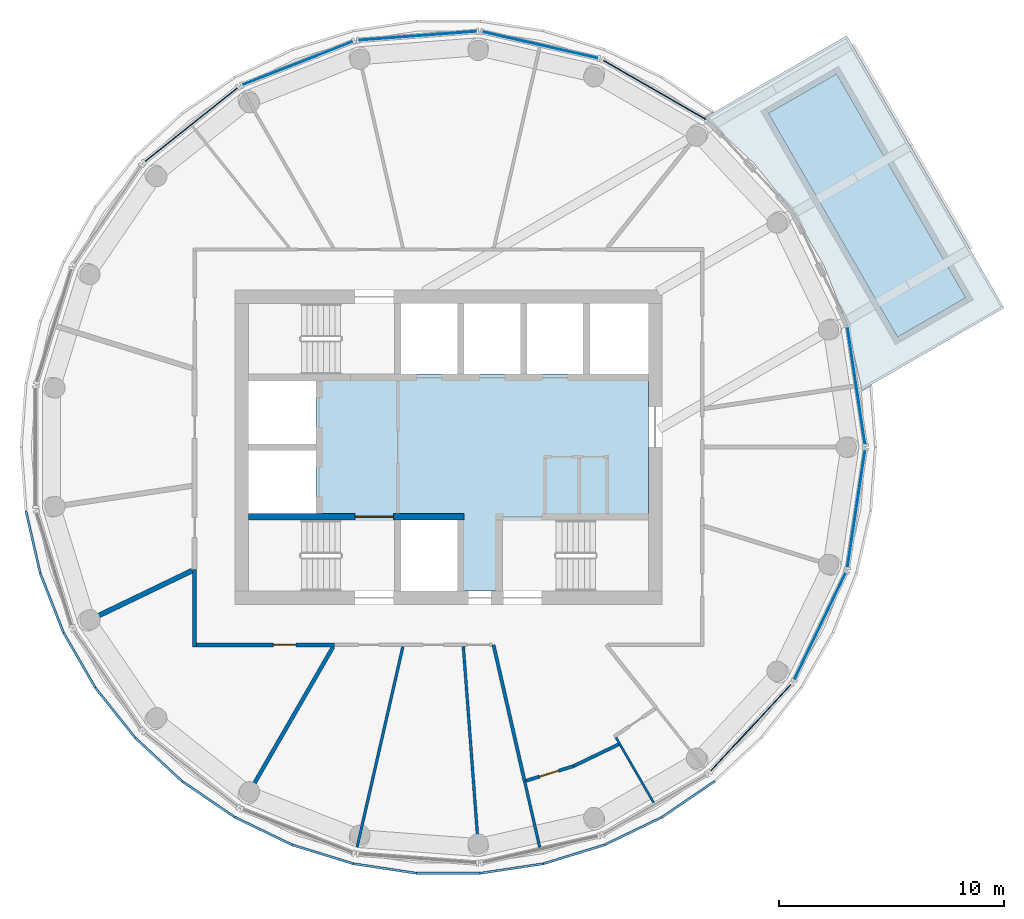
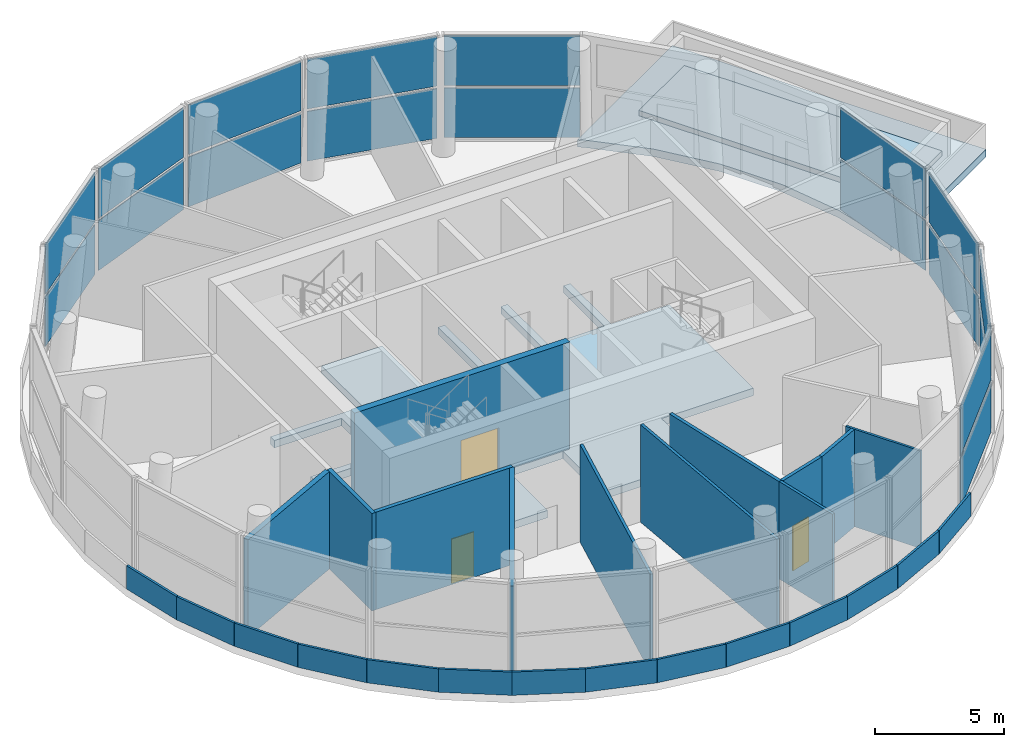
# One storey, part 4 of 10: 26 walls, 18 plates, 3 doors, 3 slabs, 3 openings, 9 elements without a shape of their own.
"""IFC4 building model written with IfcOpenShell, lengths in metres."""

from ifc_helpers import new_model, si_unit, direction, frame, frame_2d, origin, origin_2d, place, context, subcontext, project, spatial, polyline, rectangle, outline, extrude, material, layer, layer_set, type_object, element, fill, aggregate, save


model = new_model("IFC4")

# Units and contexts
model_context = context("Model", 3, precision=1e-05, world=origin(), true_north=direction((0.0, 1.0)))
body_context = subcontext(model_context, "Body", "Model", "MODEL_VIEW")
ifc_project = project(units=[si_unit("LENGTHUNIT", "METRE"), si_unit("AREAUNIT", "SQUARE_METRE"), si_unit("VOLUMEUNIT", "CUBIC_METRE"), si_unit("PLANEANGLEUNIT", "RADIAN"), si_unit("MASSUNIT", "GRAM", prefix="KILO")], contexts=[model_context])

# Site, building, storey
site_placement = place(None, origin())
site = spatial("IfcSite", under=ifc_project, at=site_placement, CompositionType="ELEMENT")
building_placement = place(site_placement, origin())
building = spatial("IfcBuilding", under=site, at=building_placement, Name="Tracery Tower", CompositionType="ELEMENT")
storey_placement = place(building_placement, frame((0.0, 0.0, 341.39990234375)))
storey = spatial("IfcBuildingStorey", under=building, at=storey_placement, Name="L88", CompositionType="ELEMENT", Elevation=341.39990234375)

# Slabs
ifc_material_1 = material(Name="Concrete C40/50", Category="concrete")
ifc_layer_1 = layer(ifc_material_1, 0.35009765625)
ifc_layer_set_1 = layer_set([ifc_layer_1], Name="Core floor slab 350 C40")
slab_type_1 = type_object("IfcSlabType", Name="Core floor slab 350 C40", PredefinedType="FLOOR", material=ifc_layer_set_1)
slab_1_placement = place(storey_placement, frame((0.0, 0.0, -0.349853515625)))
element("IfcSlab", 1, at=slab_1_placement, inside=storey, type_object=slab_type_1, Name="L88 core floor 1", PredefinedType="FLOOR", context=body_context, shape_type="SweptSolid", body=[
    extrude(outline(polyline([(-4.800537109375, -3.25), (-8.89990234375, -3.25), (-8.89990234375, -2.949951171875), (-5.89990234375, -2.949951171875), (-5.89990234375, -0.14990234375), (-8.89990234375, -0.14990234375), (-8.89990234375, 0.14990234375), (-5.89990234375, 0.14990234375), (-5.89990234375, 2.949951171875), (-8.89990234375, 2.949951171875), (-8.89990234375, 3.25), (-4.800537109375, 3.25), (-4.800537109375, 6.39990234375), (-2.10009765625, 6.39990234375), (-2.10009765625, 3.25), (0.39990234375, 3.25), (0.39990234375, 6.39990234375), (0.699951171875, 6.39990234375), (0.699951171875, 3.25), (3.199951171875, 3.25), (3.199951171875, 6.39990234375), (3.5, 6.39990234375), (3.5, 3.25), (6.0, 3.25), (6.0, 6.39990234375), (6.300048828125, 6.39990234375), (6.300048828125, 3.25), (8.89990234375, 3.25), (8.89990234375, -3.25), (4.800537109375, -3.25), (4.800537109375, -6.39990234375), (0.39990234375, -6.39990234375), (0.39990234375, -3.25), (-2.10009765625, -3.25), (-2.10009765625, -6.39990234375), (-4.800537109375, -6.39990234375), (-4.800537109375, -3.25)])), origin(), (0.0, 0.0, 1.0), 0.349853515625),
])
ifc_material_2 = material(Name="Concrete C50/60", Category="concrete")
ifc_layer_2 = layer(ifc_material_2, 0.35009765625)
ifc_layer_set_2 = layer_set([ifc_layer_2], Name="Pool deck slab 350")
slab_type_2 = type_object("IfcSlabType", Name="Pool deck slab 350", PredefinedType="FLOOR", material=ifc_layer_set_2)
slab_2_placement = place(storey_placement, frame((0.0, 0.0, -0.349853515625)))
element("IfcSlab", 2, at=slab_2_placement, inside=storey, type_object=slab_type_2, Name="Sky pool deck slab", PredefinedType="FLOOR", context=body_context, shape_type="SweptSolid", body=[
    extrude(outline(polyline([(17.735107421875, 18.322265625), (24.735107421875, 6.197998046875), (18.382568359375, 2.5302734375), (18.36474609375, 2.76806640625), (17.7470703125, 5.474365234375), (16.73291015625, 8.05810546875), (15.34521484375, 10.462158203125), (13.614501953125, 12.63232421875), (11.57958984375, 14.520263671875), (11.382568359375, 14.654541015625), (17.735107421875, 18.322265625)])), origin(), (0.0, 0.0, 1.0), 0.349853515625),
])
ifc_material_3 = material(Name="Concrete C40/50", Category="concrete")
ifc_layer_3 = layer(ifc_material_3, 0.25)
ifc_layer_set_3 = layer_set([ifc_layer_3], Name="Pool tank floor slab 250")
slab_type_3 = type_object("IfcSlabType", Name="Pool tank floor slab 250", PredefinedType="FLOOR", material=ifc_layer_set_3)
slab_3_placement = place(storey_placement, origin())
element("IfcSlab", 3, at=slab_3_placement, inside=storey, type_object=slab_type_3, Name="Pool tank floor", PredefinedType="FLOOR", context=body_context, shape_type="SweptSolid", body=[
    extrude(outline(polyline([(19.99658203125, 4.905517578125), (14.24658203125, 14.86474609375), (17.277587890625, 16.61474609375), (23.027587890625, 6.655517578125), (19.99658203125, 4.905517578125)])), origin(), (0.0, 0.0, 1.0), 0.25),
])

# Curtain wall, plates
ifc_material_4 = material(Name="Aluminium curtain wall with tinted glass", Category="aluminium")
curtain_wall_type = type_object("IfcCurtainWallType", Name="Sky pool floor glazing curtain wall", PredefinedType="NOTDEFINED", material=ifc_material_4)
curtain_wall_1_placement = place(storey_placement, origin())
curtain_wall_1 = element("IfcCurtainWall", 4, at=curtain_wall_1_placement, inside=storey, type_object=curtain_wall_type, Name="Sky pool floor glazing run 00", PredefinedType="NOTDEFINED")
ifc_material_5 = material(Name="Tinted laminated glass", Category="glass")
ifc_layer_4 = layer(ifc_material_5, 0.0400390625)
ifc_layer_set_4 = layer_set([ifc_layer_4], Name="Sky pool floor glazing glass panel 40")
plate_type = type_object("IfcPlateType", Name="Sky pool floor glazing glass panel 40", PredefinedType="CURTAIN_PANEL", material=ifc_layer_set_4)
plate_1_placement = place(storey_placement, frame((18.15966796875, 2.737060546875, 0.1201171875), z_axis=(0.0, 0.0, 1.0), x_axis=(-0.14902784238, 0.988833000155, 0.0)))
plate_1 = element("IfcPlate", 5, at=plate_1_placement, type_object=plate_type, Name="CWB3 panel 1.1", PredefinedType="CURTAIN_PANEL", context=body_context, shape_type="SweptSolid", body=[
    extrude(rectangle(XDim=5.256103515625, YDim=0.0400390625, at=origin_2d()), origin(), (0.0, 0.0, 1.0), 2.344970703125),
])
plate_2_placement = place(storey_placement, frame((18.15966796875, 2.737060546875, 2.5849609375), z_axis=(0.0, 0.0, 1.0), x_axis=(-0.14902784238, 0.988833000155, 0.0)))
plate_2 = element("IfcPlate", 6, at=plate_2_placement, type_object=plate_type, Name="CWB3 panel 1.2", PredefinedType="CURTAIN_PANEL", context=body_context, shape_type="SweptSolid", body=[
    extrude(rectangle(XDim=5.256103515625, YDim=0.0400390625, at=origin_2d()), origin(), (0.0, 0.0, 1.0), 2.344970703125),
])
aggregate(curtain_wall_1, [plate_1, plate_2])

curtain_wall_2_placement = place(storey_placement, origin())
curtain_wall_2 = element("IfcCurtainWall", 7, at=curtain_wall_2_placement, inside=storey, type_object=curtain_wall_type, Name="Sky pool floor glazing run 03", PredefinedType="NOTDEFINED")
plate_3_placement = place(storey_placement, frame((9.182373046875, 15.904296875, 0.1201171875), z_axis=(0.0, 0.0, 1.0), x_axis=(-0.866020463954, 0.500008555939, 0.0)))
plate_3 = element("IfcPlate", 8, at=plate_3_placement, type_object=plate_type, Name="CWB3 panel 1.1", PredefinedType="CURTAIN_PANEL", context=body_context, shape_type="SweptSolid", body=[
    extrude(rectangle(XDim=5.256103515625, YDim=0.0400390625, at=origin_2d()), origin(), (0.0, 0.0, 1.0), 2.344970703125),
])
plate_4_placement = place(storey_placement, frame((9.182373046875, 15.904296875, 2.5849609375), z_axis=(0.0, 0.0, 1.0), x_axis=(-0.866020463954, 0.500008555939, 0.0)))
plate_4 = element("IfcPlate", 9, at=plate_4_placement, type_object=plate_type, Name="CWB3 panel 1.2", PredefinedType="CURTAIN_PANEL", context=body_context, shape_type="SweptSolid", body=[
    extrude(rectangle(XDim=5.256103515625, YDim=0.0400390625, at=origin_2d()), origin(), (0.0, 0.0, 1.0), 2.344970703125),
])
aggregate(curtain_wall_2, [plate_3, plate_4])

curtain_wall_3_placement = place(storey_placement, origin())
curtain_wall_3 = element("IfcCurtainWall", 10, at=curtain_wall_3_placement, inside=storey, type_object=curtain_wall_type, Name="Sky pool floor glazing run 04", PredefinedType="NOTDEFINED")
plate_5_placement = place(storey_placement, frame((4.086669921875, 17.904296875, 0.1201171875), z_axis=(0.0, 0.0, 1.0), x_axis=(-0.974927733783, 0.22252171557, 0.0)))
plate_5 = element("IfcPlate", 11, at=plate_5_placement, type_object=plate_type, Name="CWB3 panel 1.1", PredefinedType="CURTAIN_PANEL", context=body_context, shape_type="SweptSolid", body=[
    extrude(rectangle(XDim=5.256103515625, YDim=0.0400390625, at=origin_2d()), origin(), (0.0, 0.0, 1.0), 2.344970703125),
])
plate_6_placement = place(storey_placement, frame((4.086669921875, 17.904296875, 2.5849609375), z_axis=(0.0, 0.0, 1.0), x_axis=(-0.974927733783, 0.22252171557, 0.0)))
plate_6 = element("IfcPlate", 12, at=plate_6_placement, type_object=plate_type, Name="CWB3 panel 1.2", PredefinedType="CURTAIN_PANEL", context=body_context, shape_type="SweptSolid", body=[
    extrude(rectangle(XDim=5.256103515625, YDim=0.0400390625, at=origin_2d()), origin(), (0.0, 0.0, 1.0), 2.344970703125),
])
aggregate(curtain_wall_3, [plate_5, plate_6])

curtain_wall_4_placement = place(storey_placement, origin())
curtain_wall_4 = element("IfcCurtainWall", 13, at=curtain_wall_4_placement, inside=storey, type_object=curtain_wall_type, Name="Sky pool floor glazing run 05", PredefinedType="NOTDEFINED")
plate_7_placement = place(storey_placement, frame((-1.372314453125, 18.3134765625, 0.1201171875), z_axis=(0.0, 0.0, 1.0), x_axis=(-0.997202862777, -0.074742561292, 0.0)))
plate_7 = element("IfcPlate", 14, at=plate_7_placement, type_object=plate_type, Name="CWB3 panel 1.1", PredefinedType="CURTAIN_PANEL", context=body_context, shape_type="SweptSolid", body=[
    extrude(rectangle(XDim=5.256103515625, YDim=0.0400390625, at=origin_2d()), origin(), (0.0, 0.0, 1.0), 2.344970703125),
])
plate_8_placement = place(storey_placement, frame((-1.372314453125, 18.3134765625, 2.5849609375), z_axis=(0.0, 0.0, 1.0), x_axis=(-0.997202862777, -0.074742561292, 0.0)))
plate_8 = element("IfcPlate", 15, at=plate_8_placement, type_object=plate_type, Name="CWB3 panel 1.2", PredefinedType="CURTAIN_PANEL", context=body_context, shape_type="SweptSolid", body=[
    extrude(rectangle(XDim=5.256103515625, YDim=0.0400390625, at=origin_2d()), origin(), (0.0, 0.0, 1.0), 2.344970703125),
])
aggregate(curtain_wall_4, [plate_7, plate_8])

curtain_wall_5_placement = place(storey_placement, origin())
curtain_wall_5 = element("IfcCurtainWall", 16, at=curtain_wall_5_placement, inside=storey, type_object=curtain_wall_type, Name="Sky pool floor glazing run 06", PredefinedType="NOTDEFINED")
plate_9_placement = place(storey_placement, frame((-6.70947265625, 17.09521484375, 0.1201171875), z_axis=(0.0, 0.0, 1.0), x_axis=(-0.930877526426, -0.365331398589, 0.0)))
plate_9 = element("IfcPlate", 17, at=plate_9_placement, type_object=plate_type, Name="CWB3 panel 1.1", PredefinedType="CURTAIN_PANEL", context=body_context, shape_type="SweptSolid", body=[
    extrude(rectangle(XDim=5.256103515625, YDim=0.0400390625, at=origin_2d()), origin(), (0.0, 0.0, 1.0), 2.344970703125),
])
plate_10_placement = place(storey_placement, frame((-6.70947265625, 17.09521484375, 2.5849609375), z_axis=(0.0, 0.0, 1.0), x_axis=(-0.930877526426, -0.365331398589, 0.0)))
plate_10 = element("IfcPlate", 18, at=plate_10_placement, type_object=plate_type, Name="CWB3 panel 1.2", PredefinedType="CURTAIN_PANEL", context=body_context, shape_type="SweptSolid", body=[
    extrude(rectangle(XDim=5.256103515625, YDim=0.0400390625, at=origin_2d()), origin(), (0.0, 0.0, 1.0), 2.344970703125),
])
aggregate(curtain_wall_5, [plate_9, plate_10])

curtain_wall_6_placement = place(storey_placement, origin())
curtain_wall_6 = element("IfcCurtainWall", 19, at=curtain_wall_6_placement, inside=storey, type_object=curtain_wall_type, Name="Sky pool floor glazing run 07", PredefinedType="NOTDEFINED")
plate_11_placement = place(storey_placement, frame((-11.4501953125, 14.358154296875, 0.1201171875), z_axis=(0.0, 0.0, 1.0), x_axis=(-0.781820960898, -0.623502995262, 0.0)))
plate_11 = element("IfcPlate", 20, at=plate_11_placement, type_object=plate_type, Name="CWB3 panel 1.1", PredefinedType="CURTAIN_PANEL", context=body_context, shape_type="SweptSolid", body=[
    extrude(rectangle(XDim=5.256103515625, YDim=0.0400390625, at=origin_2d()), origin(), (0.0, 0.0, 1.0), 2.344970703125),
])
plate_12_placement = place(storey_placement, frame((-11.4501953125, 14.358154296875, 2.5849609375), z_axis=(0.0, 0.0, 1.0), x_axis=(-0.781820960898, -0.623502995262, 0.0)))
plate_12 = element("IfcPlate", 21, at=plate_12_placement, type_object=plate_type, Name="CWB3 panel 1.2", PredefinedType="CURTAIN_PANEL", context=body_context, shape_type="SweptSolid", body=[
    extrude(rectangle(XDim=5.256103515625, YDim=0.0400390625, at=origin_2d()), origin(), (0.0, 0.0, 1.0), 2.344970703125),
])
aggregate(curtain_wall_6, [plate_11, plate_12])

curtain_wall_7_placement = place(storey_placement, origin())
curtain_wall_7 = element("IfcCurtainWall", 22, at=curtain_wall_7_placement, inside=storey, type_object=curtain_wall_type, Name="Sky pool floor glazing run 18", PredefinedType="NOTDEFINED")
plate_13_placement = place(storey_placement, frame((13.46240234375, -12.4912109375, 0.1201171875), z_axis=(0.0, 0.0, 1.0), x_axis=(0.680174070511, 0.733050635226, 0.0)))
plate_13 = element("IfcPlate", 23, at=plate_13_placement, type_object=plate_type, Name="CWB3 panel 1.1", PredefinedType="CURTAIN_PANEL", context=body_context, shape_type="SweptSolid", body=[
    extrude(rectangle(XDim=5.256103515625, YDim=0.0400390625, at=origin_2d()), origin(), (0.0, 0.0, 1.0), 2.344970703125),
])
plate_14_placement = place(storey_placement, frame((13.46240234375, -12.4912109375, 2.5849609375), z_axis=(0.0, 0.0, 1.0), x_axis=(0.680174070511, 0.733050635226, 0.0)))
plate_14 = element("IfcPlate", 24, at=plate_14_placement, type_object=plate_type, Name="CWB3 panel 1.2", PredefinedType="CURTAIN_PANEL", context=body_context, shape_type="SweptSolid", body=[
    extrude(rectangle(XDim=5.256103515625, YDim=0.0400390625, at=origin_2d()), origin(), (0.0, 0.0, 1.0), 2.344970703125),
])
aggregate(curtain_wall_7, [plate_13, plate_14])

curtain_wall_8_placement = place(storey_placement, origin())
curtain_wall_8 = element("IfcCurtainWall", 25, at=curtain_wall_8_placement, inside=storey, type_object=curtain_wall_type, Name="Sky pool floor glazing run 19", PredefinedType="NOTDEFINED")
plate_15_placement = place(storey_placement, frame((16.546142578125, -7.96826171875, 0.1201171875), z_axis=(0.0, 0.0, 1.0), x_axis=(0.433880092417, 0.900970624052, 0.0)))
plate_15 = element("IfcPlate", 26, at=plate_15_placement, type_object=plate_type, Name="CWB3 panel 1.1", PredefinedType="CURTAIN_PANEL", context=body_context, shape_type="SweptSolid", body=[
    extrude(rectangle(XDim=5.256103515625, YDim=0.0400390625, at=origin_2d()), origin(), (0.0, 0.0, 1.0), 2.344970703125),
])
plate_16_placement = place(storey_placement, frame((16.546142578125, -7.96826171875, 2.5849609375), z_axis=(0.0, 0.0, 1.0), x_axis=(0.433880092417, 0.900970624052, 0.0)))
plate_16 = element("IfcPlate", 27, at=plate_16_placement, type_object=plate_type, Name="CWB3 panel 1.2", PredefinedType="CURTAIN_PANEL", context=body_context, shape_type="SweptSolid", body=[
    extrude(rectangle(XDim=5.256103515625, YDim=0.0400390625, at=origin_2d()), origin(), (0.0, 0.0, 1.0), 2.344970703125),
])
aggregate(curtain_wall_8, [plate_15, plate_16])

curtain_wall_9_placement = place(storey_placement, origin())
curtain_wall_9 = element("IfcCurtainWall", 28, at=curtain_wall_9_placement, inside=storey, type_object=curtain_wall_type, Name="Sky pool floor glazing run 20", PredefinedType="NOTDEFINED")
plate_17_placement = place(storey_placement, frame((18.15966796875, -2.737060546875, 0.1201171875), z_axis=(0.0, 0.0, 1.0), x_axis=(0.14902784238, 0.988833000155, 0.0)))
plate_17 = element("IfcPlate", 29, at=plate_17_placement, type_object=plate_type, Name="CWB3 panel 1.1", PredefinedType="CURTAIN_PANEL", context=body_context, shape_type="SweptSolid", body=[
    extrude(rectangle(XDim=5.256103515625, YDim=0.0400390625, at=origin_2d()), origin(), (0.0, 0.0, 1.0), 2.344970703125),
])
plate_18_placement = place(storey_placement, frame((18.15966796875, -2.737060546875, 2.5849609375), z_axis=(0.0, 0.0, 1.0), x_axis=(0.14902784238, 0.988833000155, 0.0)))
plate_18 = element("IfcPlate", 30, at=plate_18_placement, type_object=plate_type, Name="CWB3 panel 1.2", PredefinedType="CURTAIN_PANEL", context=body_context, shape_type="SweptSolid", body=[
    extrude(rectangle(XDim=5.256103515625, YDim=0.0400390625, at=origin_2d()), origin(), (0.0, 0.0, 1.0), 2.344970703125),
])
aggregate(curtain_wall_9, [plate_17, plate_18])

# Wall, opening, door
ifc_material_6 = material(Name="Plasterboard on steel studs", Category="steel")
ifc_layer_5 = layer(ifc_material_6, 0.175048828125)
ifc_layer_set_5 = layer_set([ifc_layer_5], Name="Compartment partition 175")
wall_type_1 = type_object("IfcWallType", Name="Compartment partition 175", PredefinedType="PARTITIONING", material=ifc_layer_set_5)
wall_1_placement = place(storey_placement, frame((-5.080810546875, -8.800048828125, 0.0), z_axis=(0.0, 0.0, 1.0), x_axis=(-1.0, 0.0, 0.0)))
wall_1 = element("IfcWall", 31, at=wall_1_placement, inside=storey, type_object=wall_type_1, Name="Compartment partition 175", PredefinedType="PARTITIONING", context=body_context, shape_type="SweptSolid", body=[
    extrude(rectangle(XDim=6.131591796875, YDim=0.175048828125, at=frame_2d((3.06591796875, 0.0))), origin(), (0.0, 0.0, 1.0), 4.60009765625),
])
opening_1_placement = place(wall_1_placement, frame((1.709716796875, 0.0, 0.0)))
opening_1 = element("IfcOpeningElement", 32, at=opening_1_placement, cuts=wall_1, Name="Opening SB-L88-09", PredefinedType="OPENING", context=body_context, shape_type="SweptSolid", body=[
    extrude(rectangle(XDim=1.0, YDim=2.10009765625, at=frame_2d((0.5, 1.050048828125))), frame((0.0, 0.08740234375, 0.0), z_axis=(0.0, -1.0, 0.0), x_axis=(1.0, 0.0, 0.0)), (0.0, 0.0, 1.0), 0.175048828125),
])
ifc_material_7 = material(Name="Timber door leaf", Category="wood")
door_type_1 = type_object("IfcDoorType", Name="Public room door 1000", OperationType="NOTDEFINED", PredefinedType="DOOR", material=ifc_material_7)
door_1_placement = place(opening_1_placement, origin())
door_1 = element("IfcDoor", 33, at=door_1_placement, inside=storey, type_object=door_type_1, Name="Public room door 1000", OperationType="SINGLE_SWING_RIGHT", OverallHeight=2.10009765625, OverallWidth=1.0, PredefinedType="DOOR", context=body_context, shape_type="SweptSolid", body=[
    extrude(rectangle(XDim=1.0, YDim=2.10009765625, at=frame_2d((0.5, 1.050048828125))), frame((0.0, 0.02490234375, 0.0), z_axis=(0.0, -1.0, 0.0), x_axis=(1.0, 0.0, 0.0)), (0.0, 0.0, 1.0), 0.050048828125),
])
fill(opening_1, door_1)

# Walls
wall_2_placement = place(storey_placement, frame((-11.300048828125, -5.44189453125, 0.0), z_axis=(0.0, 0.0, 1.0), x_axis=(0.0, -1.0, 0.0)))
element("IfcWall", 34, at=wall_2_placement, inside=storey, type_object=wall_type_1, Name="Compartment partition 175", PredefinedType="PARTITIONING", context=body_context, shape_type="SweptSolid", body=[
    extrude(rectangle(XDim=3.445556640625, YDim=0.175048828125, at=frame_2d((1.72265625, 0.0))), origin(), (0.0, 0.0, 1.0), 4.60009765625),
])
wall_3_placement = place(storey_placement, frame((-9.1357421875, -15.823486328125, 0.0), z_axis=(0.0, 0.0, 1.0), x_axis=(0.500010947564, 0.866019083113, 0.0)))
element("IfcWall", 35, at=wall_3_placement, inside=storey, type_object=wall_type_1, Name="Compartment partition 175", PredefinedType="PARTITIONING", context=body_context, shape_type="SweptSolid", body=[
    extrude(rectangle(XDim=8.009033203125, YDim=0.175048828125, at=frame_2d((4.00439453125, 0.0))), origin(), (0.0, 0.0, 1.0), 4.60009765625),
])
ifc_material_8 = material(Name="Plasterboard on steel studs", Category="steel")
ifc_layer_6 = layer(ifc_material_8, 0.14990234375)
ifc_layer_set_6 = layer_set([ifc_layer_6], Name="Corridor partition 150")
wall_type_2 = type_object("IfcWallType", Name="Corridor partition 150", PredefinedType="PARTITIONING", material=ifc_layer_set_6)
wall_4_placement = place(storey_placement, frame((3.393798828125, -14.869384765625, 0.0), z_axis=(0.0, 0.0, 1.0), x_axis=(-0.222515984836, 0.974929041773, 0.0)))
element("IfcWall", 36, at=wall_4_placement, inside=storey, type_object=wall_type_2, Name="Corridor partition 150", PredefinedType="PARTITIONING", context=body_context, shape_type="SweptSolid", body=[
    extrude(rectangle(XDim=6.225341796875, YDim=0.14990234375, at=frame_2d((3.11279296875, 0.0))), origin(), (0.0, 0.0, 1.0), 4.60009765625),
])

# Wall, opening, door
wall_5_placement = place(storey_placement, frame((5.572265625, -14.197509765625, 0.0), z_axis=(0.0, 0.0, 1.0), x_axis=(-0.955553636246, -0.294817313362, 0.0)))
wall_5 = element("IfcWall", 37, at=wall_5_placement, inside=storey, type_object=wall_type_2, Name="Corridor partition 150", PredefinedType="PARTITIONING", context=body_context, shape_type="SweptSolid", body=[
    extrude(rectangle(XDim=2.204345703125, YDim=0.14990234375, at=frame_2d((1.10205078125, 0.0))), origin(), (0.0, 0.0, 1.0), 4.60009765625),
])
opening_2_placement = place(wall_5_placement, frame((0.689697265625, 0.0, 0.0)))
opening_2 = element("IfcOpeningElement", 38, at=opening_2_placement, cuts=wall_5, Name="Opening SB-L88-13", PredefinedType="OPENING", context=body_context, shape_type="SweptSolid", body=[
    extrude(rectangle(XDim=0.89990234375, YDim=2.10009765625, at=frame_2d((0.449951171875, 1.050048828125))), frame((0.0, 0.074951171875, 0.0), z_axis=(0.0, -1.0, 0.0), x_axis=(1.0, 0.0, 0.0)), (0.0, 0.0, 1.0), 0.14990234375),
])
ifc_material_9 = material(Name="Steel fire door", Category="steel")
door_type_2 = type_object("IfcDoorType", Name="Store door 900", OperationType="NOTDEFINED", PredefinedType="DOOR", material=ifc_material_9)
door_2_placement = place(opening_2_placement, origin())
door_2 = element("IfcDoor", 39, at=door_2_placement, inside=storey, type_object=door_type_2, Name="Store door 900", OperationType="SINGLE_SWING_RIGHT", OverallHeight=2.10009765625, OverallWidth=0.89990234375, PredefinedType="DOOR", context=body_context, shape_type="SweptSolid", body=[
    extrude(rectangle(XDim=0.89990234375, YDim=2.10009765625, at=frame_2d((0.449951171875, 1.050048828125))), frame((0.0, 0.02490234375, 0.0), z_axis=(0.0, -1.0, 0.0), x_axis=(1.0, 0.0, 0.0)), (0.0, 0.0, 1.0), 0.050048828125),
])
fill(opening_2, door_2)

# Walls
wall_6_placement = place(storey_placement, frame((5.572265625, -14.197509765625, 0.0), z_axis=(0.0, 0.0, 1.0), x_axis=(0.900973095975, 0.433874959325, 0.0)))
element("IfcWall", 40, at=wall_6_placement, inside=storey, type_object=wall_type_2, Name="Corridor partition 150", PredefinedType="PARTITIONING", context=body_context, shape_type="SweptSolid", body=[
    extrude(rectangle(XDim=2.2265625, YDim=0.14990234375, at=frame_2d((1.11328125, 0.0))), origin(), (0.0, 0.0, 1.0), 4.60009765625),
])
ifc_material_10 = material(Name="Tinted laminated glass", Category="glass")
ifc_layer_7 = layer(ifc_material_10, 0.10009765625)
ifc_layer_set_7 = layer_set([ifc_layer_7], Name="Crown ledge glass parapet 100")
wall_type_3 = type_object("IfcWallType", Name="Crown ledge glass parapet 100", PredefinedType="PARAPET", material=ifc_layer_set_7)
wall_7_placement = place(storey_placement, frame((-18.80859375, -2.839599609375, 0.0), z_axis=(0.0, 0.0, 1.0), x_axis=(0.22253705317, -0.974924232936, 0.0)))
element("IfcWall", 41, at=wall_7_placement, inside=storey, type_object=wall_type_3, Name="Crown ledge glass parapet L88 23", PredefinedType="PARAPET", context=body_context, shape_type="SweptSolid", body=[
    extrude(rectangle(XDim=2.833740234375, YDim=0.10009765625, at=frame_2d((1.4169921875, 0.0))), origin(), (0.0, 0.0, 1.0), 1.10009765625),
])
for number, where, z_axis, x_axis, name in (
    (42, (-18.17529296875, -5.611328125, 0.0), (0.0, 0.0, 1.0), (0.36542576192, -0.930840487154, 0.0), "Crown ledge glass parapet L88 24"),
    (43, (-17.135986328125, -8.257568359375, 0.0), (0.0, 0.0, 1.0), (0.500068006784, -0.865986136489, 0.0), "Crown ledge glass parapet L88 25"),
):
    element("IfcWall", number, at=place(storey_placement, frame(where, z_axis=z_axis, x_axis=x_axis)), inside=storey, type_object=wall_type_3, Name=name, PredefinedType="PARAPET", context=body_context, shape_type="SweptSolid", body=[
        extrude(rectangle(XDim=2.83349609375, YDim=0.10009765625, at=frame_2d((1.416748046875, 0.0))), origin(), (0.0, 0.0, 1.0), 1.10009765625),
    ])
for number, where, z_axis, x_axis, name in (
    (44, (-15.7138671875, -10.71923828125, 0.0), (0.0, 0.0, 1.0), (0.623528060762, -0.781800970479, 0.0), "Crown ledge glass parapet L88 26"),
    (45, (-13.940673828125, -12.94140625, 0.0), (0.0, 0.0, 1.0), (0.733020526628, -0.680206518303, 0.0), "Crown ledge glass parapet L88 27"),
    (46, (-11.856201171875, -14.874755859375, 0.0), (0.0, 0.0, 1.0), (0.826252861182, -0.563299395871, 0.0), "Crown ledge glass parapet L88 28"),
):
    element("IfcWall", number, at=place(storey_placement, frame(where, z_axis=z_axis, x_axis=x_axis)), inside=storey, type_object=wall_type_3, Name=name, PredefinedType="PARAPET", context=body_context, shape_type="SweptSolid", body=[
        extrude(rectangle(XDim=2.833740234375, YDim=0.10009765625, at=frame_2d((1.4169921875, 0.0))), origin(), (0.0, 0.0, 1.0), 1.10009765625),
    ])
wall_8_placement = place(storey_placement, frame((-9.5068359375, -16.4755859375, 0.0), z_axis=(0.0, 0.0, 1.0), x_axis=(0.900963000242, -0.43389592323, 0.0)))
element("IfcWall", 47, at=wall_8_placement, inside=storey, type_object=wall_type_3, Name="Crown ledge glass parapet L88 29", PredefinedType="PARAPET", context=body_context, shape_type="SweptSolid", body=[
    extrude(rectangle(XDim=2.83349609375, YDim=0.10009765625, at=frame_2d((1.416748046875, 0.0))), origin(), (0.0, 0.0, 1.0), 1.10009765625),
])
wall_9_placement = place(storey_placement, frame((-6.945068359375, -17.70849609375, 0.0), z_axis=(0.0, 0.0, 1.0), x_axis=(0.955575728013, -0.294745700616, 0.0)))
element("IfcWall", 48, at=wall_9_placement, inside=storey, type_object=wall_type_3, Name="Crown ledge glass parapet L88 30", PredefinedType="PARAPET", context=body_context, shape_type="SweptSolid", body=[
    extrude(rectangle(XDim=2.833740234375, YDim=0.10009765625, at=frame_2d((1.4169921875, 0.0))), origin(), (0.0, 0.0, 1.0), 1.10009765625),
])
for number, where, z_axis, x_axis, name in (
    (49, (-4.22802734375, -18.5458984375, 0.0), (0.0, 0.0, 1.0), (0.988827380621, -0.149065124475, 0.0), "Crown ledge glass parapet L88 31"),
    (50, (-1.416748046875, -18.968994140625, 0.0), (0.0, 0.0, 1.0), (1.0, 0.0, 0.0), "Crown ledge glass parapet L88 32"),
    (51, (1.42626953125, -18.96826171875, 0.0), (0.0, 0.0, 1.0), (0.988827380621, 0.149065124475, 0.0), "Crown ledge glass parapet L88 33"),
):
    element("IfcWall", number, at=place(storey_placement, frame(where, z_axis=z_axis, x_axis=x_axis)), inside=storey, type_object=wall_type_3, Name=name, PredefinedType="PARAPET", context=body_context, shape_type="SweptSolid", body=[
        extrude(rectangle(XDim=2.83349609375, YDim=0.10009765625, at=frame_2d((1.416748046875, 0.0))), origin(), (0.0, 0.0, 1.0), 1.10009765625),
    ])
wall_10_placement = place(storey_placement, frame((4.2373046875, -18.543701171875, 0.0), z_axis=(0.0, 0.0, 1.0), x_axis=(0.955575728013, 0.294745700616, 0.0)))
element("IfcWall", 52, at=wall_10_placement, inside=storey, type_object=wall_type_3, Name="Crown ledge glass parapet L88 34", PredefinedType="PARAPET", context=body_context, shape_type="SweptSolid", body=[
    extrude(rectangle(XDim=2.833740234375, YDim=0.10009765625, at=frame_2d((1.4169921875, 0.0))), origin(), (0.0, 0.0, 1.0), 1.10009765625),
])
wall_11_placement = place(storey_placement, frame((6.953857421875, -17.705078125, 0.0), z_axis=(0.0, 0.0, 1.0), x_axis=(0.900963000242, 0.43389592323, 0.0)))
element("IfcWall", 53, at=wall_11_placement, inside=storey, type_object=wall_type_3, Name="Crown ledge glass parapet L88 35", PredefinedType="PARAPET", context=body_context, shape_type="SweptSolid", body=[
    extrude(rectangle(XDim=2.83349609375, YDim=0.10009765625, at=frame_2d((1.416748046875, 0.0))), origin(), (0.0, 0.0, 1.0), 1.10009765625),
])
wall_12_placement = place(storey_placement, frame((9.514892578125, -16.470947265625, 0.0), z_axis=(0.0, 0.0, 1.0), x_axis=(0.826252861182, 0.563299395871, 0.0)))
element("IfcWall", 54, at=wall_12_placement, inside=storey, type_object=wall_type_3, Name="Crown ledge glass parapet L88 36", PredefinedType="PARAPET", context=body_context, shape_type="SweptSolid", body=[
    extrude(rectangle(XDim=2.833740234375, YDim=0.10009765625, at=frame_2d((1.4169921875, 0.0))), origin(), (0.0, 0.0, 1.0), 1.10009765625),
])
ifc_material_11 = material(Name="Concrete blockwork", Category="masonry")
ifc_layer_8 = layer(ifc_material_11, 0.22509765625)
ifc_layer_set_8 = layer_set([ifc_layer_8], Name="Plant room block wall 225")
wall_type_4 = type_object("IfcWallType", Name="Plant room block wall 225", PredefinedType="PARTITIONING", material=ifc_layer_set_8)
wall_13_placement = place(storey_placement, frame((-16.4619140625, -7.927490234375, 0.0), z_axis=(0.0, 0.0, 1.0), x_axis=(0.900984641379, 0.433850983633, 0.0)))
element("IfcWall", 55, at=wall_13_placement, inside=storey, type_object=wall_type_4, Name="Plant room block wall 225", PredefinedType="PARTITIONING", context=body_context, shape_type="SweptSolid", body=[
    extrude(rectangle(XDim=5.604248046875, YDim=0.22509765625, at=frame_2d((2.80224609375, 0.0))), origin(), (0.0, 0.0, 1.0), 4.60009765625),
])

# Wall, opening, door
ifc_material_12 = material(Name="Concrete C40/50", Category="concrete")
ifc_layer_9 = layer(ifc_material_12, 0.300048828125)
ifc_layer_set_9 = layer_set([ifc_layer_9], Name="Stair wall 300 C40")
wall_type_5 = type_object("IfcWallType", Name="Stair wall 300 C40", PredefinedType="SOLIDWALL", material=ifc_layer_set_9)
wall_14_placement = place(storey_placement, frame((-8.89990234375, -3.10009765625, 0.0), z_axis=(0.0, 0.0, 1.0), x_axis=(1.0, 0.0, 0.0)))
wall_14 = element("IfcWall", 56, at=wall_14_placement, inside=storey, type_object=wall_type_5, Name="L88 row S", PredefinedType="SOLIDWALL", context=body_context, shape_type="SweptSolid", body=[
    extrude(rectangle(XDim=9.599853515625, YDim=0.300048828125, at=frame_2d((4.7998046875, 0.0))), origin(), (0.0, 0.0, 1.0), 5.050048828125),
])
opening_3_placement = place(wall_14_placement, frame((4.75, 0.0, 0.0)))
opening_3 = element("IfcOpeningElement", 57, at=opening_3_placement, cuts=wall_14, Name="Opening KD3", PredefinedType="OPENING", context=body_context, shape_type="SweptSolid", body=[
    extrude(rectangle(XDim=1.699951171875, YDim=2.10009765625, at=frame_2d((0.85009765625, 1.050048828125))), frame((0.0, 0.14990234375, 0.0), z_axis=(0.0, -1.0, 0.0), x_axis=(1.0, 0.0, 0.0)), (0.0, 0.0, 1.0), 0.300048828125),
])
ifc_material_13 = material(Name="Steel fire door", Category="steel")
door_type_3 = type_object("IfcDoorType", Name="Core stair door 1700 double", OperationType="NOTDEFINED", PredefinedType="DOOR", material=ifc_material_13)
door_3_placement = place(opening_3_placement, origin())
door_3 = element("IfcDoor", 58, at=door_3_placement, inside=storey, type_object=door_type_3, Name="Stair door ST1", OperationType="DOUBLE_DOOR_SINGLE_SWING", OverallHeight=2.10009765625, OverallWidth=1.699951171875, PredefinedType="DOOR", context=body_context, shape_type="SweptSolid", body=[
    extrude(rectangle(XDim=1.699951171875, YDim=2.10009765625, at=frame_2d((0.85009765625, 1.050048828125))), frame((0.0, 0.02490234375, 0.0), z_axis=(0.0, -1.0, 0.0), x_axis=(1.0, 0.0, 0.0)), (0.0, 0.0, 1.0), 0.050048828125),
])
fill(opening_3, door_3)

# Walls
ifc_material_14 = material(Name="Plasterboard on steel studs", Category="steel")
ifc_layer_10 = layer(ifc_material_14, 0.10009765625)
ifc_layer_set_10 = layer_set([ifc_layer_10], Name="Stud partition 100")
wall_type_6 = type_object("IfcWallType", Name="Stud partition 100", PredefinedType="PARTITIONING", material=ifc_layer_set_10)
wall_15_placement = place(storey_placement, frame((9.1357421875, -15.823486328125, 0.0), z_axis=(0.0, 0.0, 1.0), x_axis=(-0.49999358888, 0.866029105215, 0.0)))
element("IfcWall", 59, at=wall_15_placement, inside=storey, type_object=wall_type_6, Name="Stud partition 100", PredefinedType="PARTITIONING", context=body_context, shape_type="SweptSolid", body=[
    extrude(rectangle(XDim=3.3515625, YDim=0.10009765625, at=frame_2d((1.67578125, 0.0))), origin(), (0.0, 0.0, 1.0), 4.60009765625),
])
ifc_material_15 = material(Name="Plasterboard on steel studs", Category="steel")
ifc_layer_11 = layer(ifc_material_15, 0.125)
ifc_layer_set_11 = layer_set([ifc_layer_11], Name="Wet area partition 125")
wall_type_7 = type_object("IfcWallType", Name="Wet area partition 125", PredefinedType="PARTITIONING", material=ifc_layer_set_11)
wall_16_placement = place(storey_placement, frame((-4.06591796875, -17.813232421875, 0.0), z_axis=(0.0, 0.0, 1.0), x_axis=(0.222556326308, 0.974919833433, 0.0)))
element("IfcWall", 60, at=wall_16_placement, inside=storey, type_object=wall_type_7, Name="Wet area partition 125", PredefinedType="PARTITIONING", context=body_context, shape_type="SweptSolid", body=[
    extrude(rectangle(XDim=9.160888671875, YDim=0.125, at=frame_2d((4.58056640625, 0.0))), origin(), (0.0, 0.0, 1.0), 4.60009765625),
])
wall_17_placement = place(storey_placement, frame((1.365478515625, -18.22021484375, 0.0), z_axis=(0.0, 0.0, 1.0), x_axis=(-0.074733589561, 0.997203535188, 0.0)))
element("IfcWall", 61, at=wall_17_placement, inside=storey, type_object=wall_type_7, Name="Wet area partition 125", PredefinedType="PARTITIONING", context=body_context, shape_type="SweptSolid", body=[
    extrude(rectangle(XDim=9.369140625, YDim=0.125, at=frame_2d((4.6845703125, 0.0))), origin(), (0.0, 0.0, 1.0), 4.60009765625),
])
wall_18_placement = place(storey_placement, frame((4.06591796875, -17.813232421875, 0.0), z_axis=(0.0, 0.0, 1.0), x_axis=(-0.222585500528, 0.974913173034, 0.0)))
element("IfcWall", 62, at=wall_18_placement, inside=storey, type_object=wall_type_7, Name="Wet area partition 125", PredefinedType="PARTITIONING", context=body_context, shape_type="SweptSolid", body=[
    extrude(rectangle(XDim=3.01953125, YDim=0.125, at=frame_2d((1.509765625, 0.0))), origin(), (0.0, 0.0, 1.0), 4.60009765625),
])

save(model, "model.ifc")
